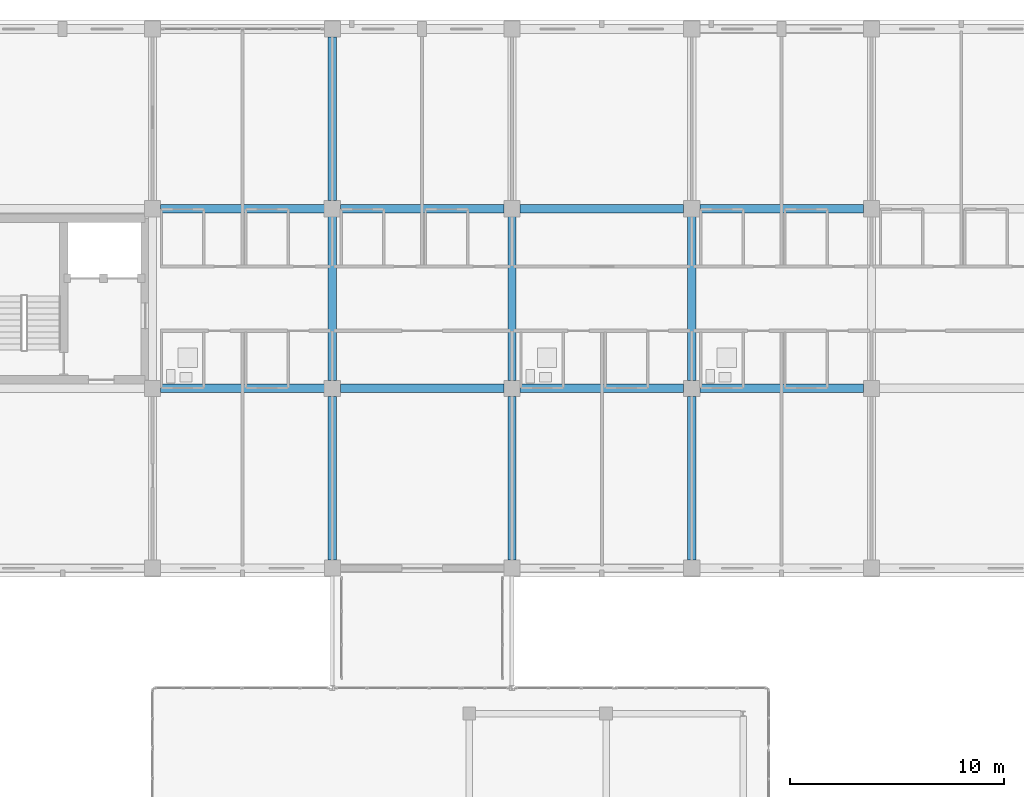
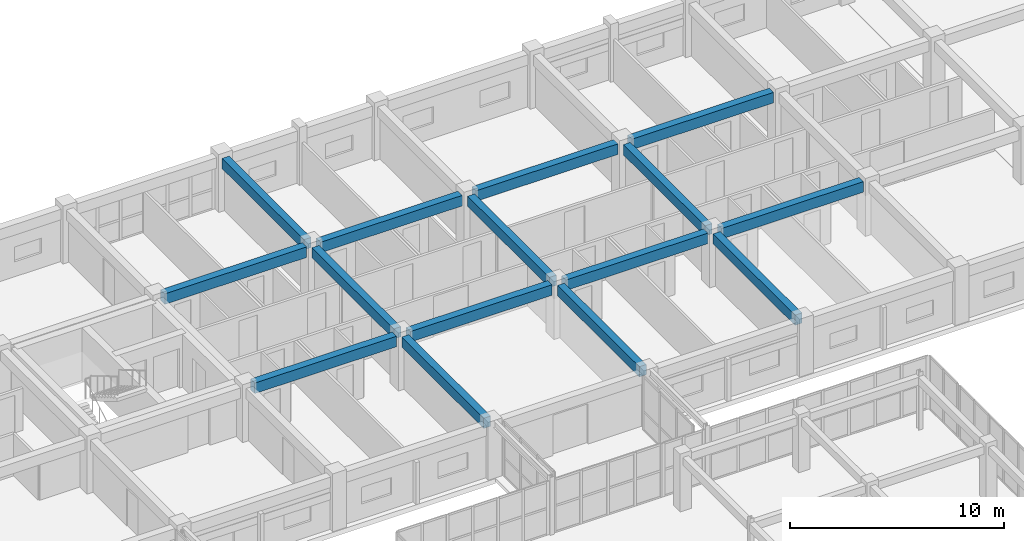
# One storey, part 122 of 200: 15 beams.
"""IFC4 building model written with IfcOpenShell, lengths in metres."""

from ifc_helpers import new_model, si_unit, direction, frame, origin, origin_2d, place, context, subcontext, project, spatial, rectangle, extrude, material, material_profile, profile_set, type_object, element, save


model = new_model("IFC4")

# Units and contexts
model_context = context("Model", 3, precision=1e-05, world=origin(), true_north=direction((0.0, 1.0)))
body_context = subcontext(model_context, "Body", "Model", "MODEL_VIEW")
ifc_project = project(units=[si_unit("LENGTHUNIT", "METRE"), si_unit("AREAUNIT", "SQUARE_METRE"), si_unit("VOLUMEUNIT", "CUBIC_METRE"), si_unit("PLANEANGLEUNIT", "RADIAN"), si_unit("MASSUNIT", "GRAM", prefix="KILO")], contexts=[model_context])

# Site, building, storey
site_placement = place(None, origin())
site = spatial("IfcSite", under=ifc_project, at=site_placement, CompositionType="ELEMENT")
building_placement = place(site_placement, origin())
building = spatial("IfcBuilding", under=site, at=building_placement, Name="Trelvath General Hospital", CompositionType="ELEMENT")
storey_placement = place(building_placement, frame((0.0, 0.0, 4.800048828125)))
storey = spatial("IfcBuildingStorey", under=building, at=storey_placement, Name="L01", CompositionType="ELEMENT", Elevation=4.800048828125)

# Beams
ifc_material_1 = material(Name="Concrete C35/45", Category="concrete")
ifc_material_profile_1 = material_profile(ifc_material_1, rectangle(XDim=0.3798828125, YDim=0.580078125, at=origin_2d()), Name="RCB380x580")
ifc_profile_set_1 = profile_set([ifc_material_profile_1], Name="Concrete C35/45")
beam_type_1 = type_object("IfcBeamType", Name="Beam RC380x580", PredefinedType="BEAM", material=ifc_profile_set_1)
beam_1_placement = place(storey_placement, frame((100.800048828125, 92.77001953125, 2.72998046875), z_axis=(0.0, 1.0, 0.0), x_axis=(-1.0, 0.0, 0.0)))
element("IfcBeam", 1, at=beam_1_placement, inside=storey, type_object=beam_type_1, Name="Grid Beam BY-112L", PredefinedType="BEAM", context=body_context, shape_type="SweptSolid", body=[
    extrude(rectangle(XDim=0.3798828125, YDim=0.580078125, at=origin_2d()), origin(), (0.0, 0.0, 1.0), 7.655029296875),
])
beam_2_placement = place(storey_placement, frame((100.800048828125, 101.175048828125, 2.72998046875), z_axis=(0.0, 1.0, 0.0), x_axis=(-1.0, 0.0, 0.0)))
element("IfcBeam", 2, at=beam_2_placement, inside=storey, type_object=beam_type_1, Name="Grid Beam BY-112M", PredefinedType="BEAM", context=body_context, shape_type="SweptSolid", body=[
    extrude(rectangle(XDim=0.3798828125, YDim=0.580078125, at=origin_2d()), origin(), (0.0, 0.0, 1.0), 7.64990234375),
])
for number, where, z_axis, x_axis, name in (
    (3, (100.800048828125, 109.574951171875, 2.72998046875), (0.0, 1.0, 0.0), (-1.0, 0.0, 0.0), "Grid Beam BY-112N"),
    (4, (109.199951171875, 92.77001953125, 2.72998046875), (0.0, 1.0, 0.0), (-1.0, 0.0, 0.0), "Grid Beam BY-113L"),
):
    element("IfcBeam", number, at=place(storey_placement, frame(where, z_axis=z_axis, x_axis=x_axis)), inside=storey, type_object=beam_type_1, Name=name, PredefinedType="BEAM", context=body_context, shape_type="SweptSolid", body=[
        extrude(rectangle(XDim=0.3798828125, YDim=0.580078125, at=origin_2d()), origin(), (0.0, 0.0, 1.0), 7.655029296875),
    ])
beam_3_placement = place(storey_placement, frame((109.199951171875, 101.175048828125, 2.72998046875), z_axis=(0.0, 1.0, 0.0), x_axis=(-1.0, 0.0, 0.0)))
element("IfcBeam", 5, at=beam_3_placement, inside=storey, type_object=beam_type_1, Name="Grid Beam BY-113M", PredefinedType="BEAM", context=body_context, shape_type="SweptSolid", body=[
    extrude(rectangle(XDim=0.3798828125, YDim=0.580078125, at=origin_2d()), origin(), (0.0, 0.0, 1.0), 7.64990234375),
])
beam_4_placement = place(storey_placement, frame((117.60009765625, 92.77001953125, 2.72998046875), z_axis=(0.0, 1.0, 0.0), x_axis=(-1.0, 0.0, 0.0)))
element("IfcBeam", 6, at=beam_4_placement, inside=storey, type_object=beam_type_1, Name="Grid Beam BY-114L", PredefinedType="BEAM", context=body_context, shape_type="SweptSolid", body=[
    extrude(rectangle(XDim=0.3798828125, YDim=0.580078125, at=origin_2d()), origin(), (0.0, 0.0, 1.0), 7.655029296875),
])
beam_5_placement = place(storey_placement, frame((117.60009765625, 101.175048828125, 2.72998046875), z_axis=(0.0, 1.0, 0.0), x_axis=(-1.0, 0.0, 0.0)))
element("IfcBeam", 7, at=beam_5_placement, inside=storey, type_object=beam_type_1, Name="Grid Beam BY-114M", PredefinedType="BEAM", context=body_context, shape_type="SweptSolid", body=[
    extrude(rectangle(XDim=0.3798828125, YDim=0.580078125, at=origin_2d()), origin(), (0.0, 0.0, 1.0), 7.64990234375),
])
ifc_material_2 = material(Name="Concrete C35/45", Category="concrete")
ifc_material_profile_2 = material_profile(ifc_material_2, rectangle(XDim=0.39990234375, YDim=0.60009765625, at=origin_2d()), Name="RCB400x600")
ifc_profile_set_2 = profile_set([ifc_material_profile_2], Name="Concrete C35/45")
beam_type_2 = type_object("IfcBeamType", Name="Beam RC400x600", PredefinedType="BEAM", material=ifc_profile_set_2)
for number, where, z_axis, x_axis, name in (
    (8, (92.77490234375, 100.800048828125, 2.719970703125), (1.0, 0.0, 0.0), (0.0, 1.0, 0.0), "Grid Beam BX-111M"),
    (9, (92.77490234375, 109.199951171875, 2.719970703125), (1.0, 0.0, 0.0), (0.0, 1.0, 0.0), "Grid Beam BX-111N"),
):
    element("IfcBeam", number, at=place(storey_placement, frame(where, z_axis=z_axis, x_axis=x_axis)), inside=storey, type_object=beam_type_2, Name=name, PredefinedType="BEAM", context=body_context, shape_type="SweptSolid", body=[
        extrude(rectangle(XDim=0.39990234375, YDim=0.60009765625, at=origin_2d()), origin(), (0.0, 0.0, 1.0), 7.650146484375),
    ])
for number, where, z_axis, x_axis, name in (
    (10, (101.175048828125, 100.800048828125, 2.719970703125), (1.0, 0.0, 0.0), (0.0, 1.0, 0.0), "Grid Beam BX-112M"),
    (11, (101.175048828125, 109.199951171875, 2.719970703125), (1.0, 0.0, 0.0), (0.0, 1.0, 0.0), "Grid Beam BX-112N"),
):
    element("IfcBeam", number, at=place(storey_placement, frame(where, z_axis=z_axis, x_axis=x_axis)), inside=storey, type_object=beam_type_2, Name=name, PredefinedType="BEAM", context=body_context, shape_type="SweptSolid", body=[
        extrude(rectangle(XDim=0.39990234375, YDim=0.60009765625, at=origin_2d()), origin(), (0.0, 0.0, 1.0), 7.64990234375),
    ])
for number, where, z_axis, x_axis, name in (
    (12, (109.574951171875, 100.800048828125, 2.719970703125), (1.0, 0.0, 0.0), (0.0, 1.0, 0.0), "Grid Beam BX-113M"),
    (13, (109.574951171875, 109.199951171875, 2.719970703125), (1.0, 0.0, 0.0), (0.0, 1.0, 0.0), "Grid Beam BX-113N"),
):
    element("IfcBeam", number, at=place(storey_placement, frame(where, z_axis=z_axis, x_axis=x_axis)), inside=storey, type_object=beam_type_2, Name=name, PredefinedType="BEAM", context=body_context, shape_type="SweptSolid", body=[
        extrude(rectangle(XDim=0.39990234375, YDim=0.60009765625, at=origin_2d()), origin(), (0.0, 0.0, 1.0), 7.650146484375),
    ])
for number, where, z_axis, x_axis, name in (
    (14, (117.97509765625, 100.800048828125, 2.719970703125), (1.0, 0.0, 0.0), (0.0, 1.0, 0.0), "Grid Beam BX-114M"),
    (15, (117.97509765625, 109.199951171875, 2.719970703125), (1.0, 0.0, 0.0), (0.0, 1.0, 0.0), "Grid Beam BX-114N"),
):
    element("IfcBeam", number, at=place(storey_placement, frame(where, z_axis=z_axis, x_axis=x_axis)), inside=storey, type_object=beam_type_2, Name=name, PredefinedType="BEAM", context=body_context, shape_type="SweptSolid", body=[
        extrude(rectangle(XDim=0.39990234375, YDim=0.60009765625, at=origin_2d()), origin(), (0.0, 0.0, 1.0), 7.64990234375),
    ])

save(model, "model.ifc")
